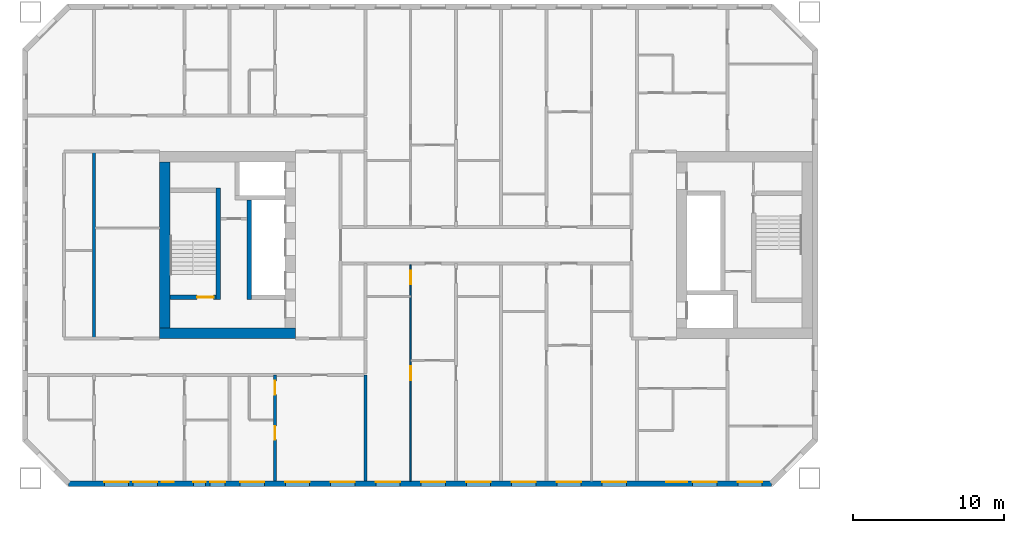
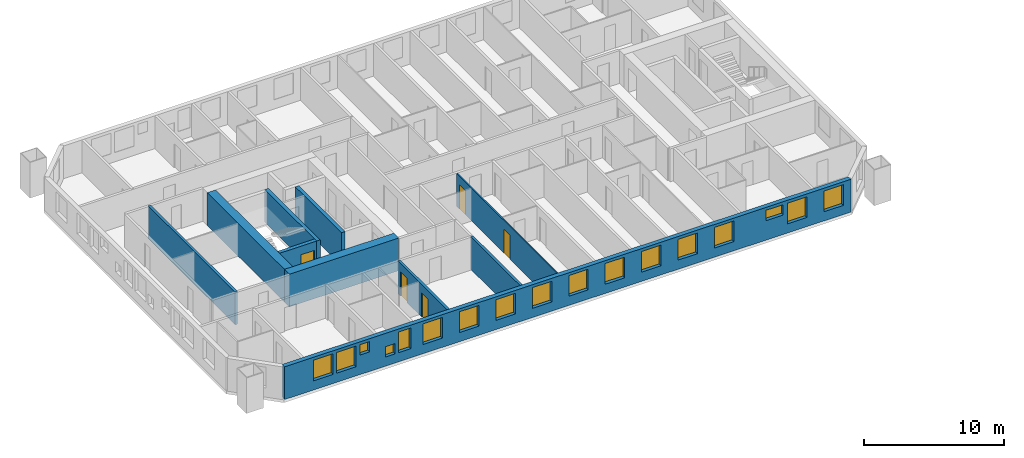
# One storey, part 3 of 17: 17 windows, 10 walls, 5 doors, 22 openings.
"""IFC4 building model written with IfcOpenShell, lengths in metres."""

from ifc_helpers import new_model, si_unit, direction, frame, frame_2d, origin, place, context, subcontext, project, spatial, rectangle, extrude, material, layer, layer_set, type_object, element, fill, save


model = new_model("IFC4")

# Units and contexts
model_context = context("Model", 3, precision=1e-05, world=origin(), true_north=direction((0.0, 1.0)))
body_context = subcontext(model_context, "Body", "Model", "MODEL_VIEW")
ifc_project = project(units=[si_unit("LENGTHUNIT", "METRE"), si_unit("AREAUNIT", "SQUARE_METRE"), si_unit("VOLUMEUNIT", "CUBIC_METRE"), si_unit("PLANEANGLEUNIT", "RADIAN"), si_unit("MASSUNIT", "GRAM", prefix="KILO")], contexts=[model_context])

# Site, building, storey
site_placement = place(None, origin())
site = spatial("IfcSite", under=ifc_project, at=site_placement, CompositionType="ELEMENT")
building_placement = place(site_placement, origin())
building = spatial("IfcBuilding", under=site, at=building_placement, Name="Tuart Gate Housing", CompositionType="ELEMENT")
storey_placement = place(building_placement, frame((0.0, 0.0, 74.699951171875)))
storey = spatial("IfcBuildingStorey", under=building, at=storey_placement, Name="L20", CompositionType="ELEMENT", Elevation=74.699951171875)

# Wall, openings, windows
ifc_material_1 = material(Name="Brick", Category="masonry")
ifc_layer_1 = layer(ifc_material_1, 0.360107421875)
ifc_layer_set_1 = layer_set([ifc_layer_1], Name="Brick pier and spandrel wall 360")
wall_type_1 = type_object("IfcWallType", Name="Brick pier and spandrel wall 360", PredefinedType="STANDARD", material=ifc_layer_set_1)
wall_1_placement = place(storey_placement, frame((26.32470703125, 54.179931640625, 0.0), z_axis=(0.0, 0.0, 1.0), x_axis=(1.0, 0.0, 0.0)))
wall_1 = element("IfcWall", 1, at=wall_1_placement, inside=storey, type_object=wall_type_1, Name="External wall A-S L20", PredefinedType="STANDARD", context=body_context, shape_type="SweptSolid", body=[
    extrude(rectangle(XDim=46.600830078125, YDim=0.360107421875, at=frame_2d((23.30029296875, 0.0))), origin(), (0.0, 0.0, 1.0), 2.85009765625),
])
opening_1_placement = place(wall_1_placement, frame((2.37548828125, 0.0, 0.800048828125)))
opening_1 = element("IfcOpeningElement", 2, at=opening_1_placement, cuts=wall_1, Name="Opening W1", PredefinedType="OPENING", context=body_context, shape_type="SweptSolid", body=[
    extrude(rectangle(XDim=1.60009765625, YDim=1.800048828125, at=frame_2d((0.800048828125, 0.89990234375))), frame((0.0, 0.18994140625, 0.0), z_axis=(0.0, -1.0, 0.0), x_axis=(1.0, 0.0, 0.0)), (0.0, 0.0, 1.0), 0.380126953125),
])
opening_2_placement = place(wall_1_placement, frame((4.275390625, 0.0, 0.800048828125)))
opening_2 = element("IfcOpeningElement", 3, at=opening_2_placement, cuts=wall_1, Name="Opening W1", PredefinedType="OPENING", context=body_context, shape_type="SweptSolid", body=[
    extrude(rectangle(XDim=1.60009765625, YDim=1.800048828125, at=frame_2d((0.800048828125, 0.89990234375))), frame((0.0, 0.18994140625, 0.0), z_axis=(0.0, -1.0, 0.0), x_axis=(1.0, 0.0, 0.0)), (0.0, 0.0, 1.0), 0.380126953125),
])
opening_3_placement = place(wall_1_placement, frame((8.275390625, 0.0, 0.800048828125)))
opening_3 = element("IfcOpeningElement", 4, at=opening_3_placement, cuts=wall_1, Name="Opening W1V", PredefinedType="OPENING", context=body_context, shape_type="SweptSolid", body=[
    extrude(rectangle(XDim=0.800048828125, YDim=0.89990234375, at=frame_2d((0.39990234375, 0.449951171875))), frame((0.0, 0.18994140625, 0.0), z_axis=(0.0, -1.0, 0.0), x_axis=(1.0, 0.0, 0.0)), (0.0, 0.0, 1.0), 0.380126953125),
])
opening_4_placement = place(wall_1_placement, frame((11.37548828125, 0.0, 0.800048828125)))
opening_4 = element("IfcOpeningElement", 5, at=opening_4_placement, cuts=wall_1, Name="Opening W1", PredefinedType="OPENING", context=body_context, shape_type="SweptSolid", body=[
    extrude(rectangle(XDim=1.60009765625, YDim=1.800048828125, at=frame_2d((0.800048828125, 0.89990234375))), frame((0.0, 0.18994140625, 0.0), z_axis=(0.0, -1.0, 0.0), x_axis=(1.0, 0.0, 0.0)), (0.0, 0.0, 1.0), 0.380126953125),
])
opening_5_placement = place(wall_1_placement, frame((14.37548828125, 0.0, 0.800048828125)))
opening_5 = element("IfcOpeningElement", 6, at=opening_5_placement, cuts=wall_1, Name="Opening W1", PredefinedType="OPENING", context=body_context, shape_type="SweptSolid", body=[
    extrude(rectangle(XDim=1.60009765625, YDim=1.800048828125, at=frame_2d((0.800048828125, 0.89990234375))), frame((0.0, 0.18994140625, 0.0), z_axis=(0.0, -1.0, 0.0), x_axis=(1.0, 0.0, 0.0)), (0.0, 0.0, 1.0), 0.380126953125),
])
opening_6_placement = place(wall_1_placement, frame((17.37548828125, 0.0, 0.800048828125)))
opening_6 = element("IfcOpeningElement", 7, at=opening_6_placement, cuts=wall_1, Name="Opening W1", PredefinedType="OPENING", context=body_context, shape_type="SweptSolid", body=[
    extrude(rectangle(XDim=1.60009765625, YDim=1.800048828125, at=frame_2d((0.800048828125, 0.89990234375))), frame((0.0, 0.18994140625, 0.0), z_axis=(0.0, -1.0, 0.0), x_axis=(1.0, 0.0, 0.0)), (0.0, 0.0, 1.0), 0.380126953125),
])
opening_7_placement = place(wall_1_placement, frame((20.37548828125, 0.0, 0.800048828125)))
opening_7 = element("IfcOpeningElement", 8, at=opening_7_placement, cuts=wall_1, Name="Opening W1", PredefinedType="OPENING", context=body_context, shape_type="SweptSolid", body=[
    extrude(rectangle(XDim=1.60009765625, YDim=1.800048828125, at=frame_2d((0.800048828125, 0.89990234375))), frame((0.0, 0.18994140625, 0.0), z_axis=(0.0, -1.0, 0.0), x_axis=(1.0, 0.0, 0.0)), (0.0, 0.0, 1.0), 0.380126953125),
])
opening_8_placement = place(wall_1_placement, frame((23.37548828125, 0.0, 0.800048828125)))
opening_8 = element("IfcOpeningElement", 9, at=opening_8_placement, cuts=wall_1, Name="Opening W1", PredefinedType="OPENING", context=body_context, shape_type="SweptSolid", body=[
    extrude(rectangle(XDim=1.60009765625, YDim=1.800048828125, at=frame_2d((0.800048828125, 0.89990234375))), frame((0.0, 0.18994140625, 0.0), z_axis=(0.0, -1.0, 0.0), x_axis=(1.0, 0.0, 0.0)), (0.0, 0.0, 1.0), 0.380126953125),
])
opening_9_placement = place(wall_1_placement, frame((26.37548828125, 0.0, 0.800048828125)))
opening_9 = element("IfcOpeningElement", 10, at=opening_9_placement, cuts=wall_1, Name="Opening W1", PredefinedType="OPENING", context=body_context, shape_type="SweptSolid", body=[
    extrude(rectangle(XDim=1.60009765625, YDim=1.800048828125, at=frame_2d((0.800048828125, 0.89990234375))), frame((0.0, 0.18994140625, 0.0), z_axis=(0.0, -1.0, 0.0), x_axis=(1.0, 0.0, 0.0)), (0.0, 0.0, 1.0), 0.380126953125),
])
opening_10_placement = place(wall_1_placement, frame((29.37548828125, 0.0, 0.800048828125)))
opening_10 = element("IfcOpeningElement", 11, at=opening_10_placement, cuts=wall_1, Name="Opening W1", PredefinedType="OPENING", context=body_context, shape_type="SweptSolid", body=[
    extrude(rectangle(XDim=1.60009765625, YDim=1.800048828125, at=frame_2d((0.800048828125, 0.89990234375))), frame((0.0, 0.18994140625, 0.0), z_axis=(0.0, -1.0, 0.0), x_axis=(1.0, 0.0, 0.0)), (0.0, 0.0, 1.0), 0.380126953125),
])
opening_11_placement = place(wall_1_placement, frame((32.37548828125, 0.0, 0.800048828125)))
opening_11 = element("IfcOpeningElement", 12, at=opening_11_placement, cuts=wall_1, Name="Opening W1", PredefinedType="OPENING", context=body_context, shape_type="SweptSolid", body=[
    extrude(rectangle(XDim=1.60009765625, YDim=1.800048828125, at=frame_2d((0.800048828125, 0.89990234375))), frame((0.0, 0.18994140625, 0.0), z_axis=(0.0, -1.0, 0.0), x_axis=(1.0, 0.0, 0.0)), (0.0, 0.0, 1.0), 0.380126953125),
])
opening_12_placement = place(wall_1_placement, frame((35.37548828125, 0.0, 0.800048828125)))
opening_12 = element("IfcOpeningElement", 13, at=opening_12_placement, cuts=wall_1, Name="Opening W1", PredefinedType="OPENING", context=body_context, shape_type="SweptSolid", body=[
    extrude(rectangle(XDim=1.60009765625, YDim=1.800048828125, at=frame_2d((0.800048828125, 0.89990234375))), frame((0.0, 0.18994140625, 0.0), z_axis=(0.0, -1.0, 0.0), x_axis=(1.0, 0.0, 0.0)), (0.0, 0.0, 1.0), 0.380126953125),
])
opening_13_placement = place(wall_1_placement, frame((39.62548828125, 0.0, 1.699951171875)))
opening_13 = element("IfcOpeningElement", 14, at=opening_13_placement, cuts=wall_1, Name="Opening W1S", PredefinedType="OPENING", context=body_context, shape_type="SweptSolid", body=[
    extrude(rectangle(XDim=1.39990234375, YDim=0.89990234375, at=frame_2d((0.699951171875, 0.449951171875))), frame((0.0, 0.18994140625, 0.0), z_axis=(0.0, -1.0, 0.0), x_axis=(1.0, 0.0, 0.0)), (0.0, 0.0, 1.0), 0.380126953125),
])
opening_14_placement = place(wall_1_placement, frame((41.37548828125, 0.0, 0.800048828125)))
opening_14 = element("IfcOpeningElement", 15, at=opening_14_placement, cuts=wall_1, Name="Opening W1", PredefinedType="OPENING", context=body_context, shape_type="SweptSolid", body=[
    extrude(rectangle(XDim=1.60009765625, YDim=1.800048828125, at=frame_2d((0.800048828125, 0.89990234375))), frame((0.0, 0.18994140625, 0.0), z_axis=(0.0, -1.0, 0.0), x_axis=(1.0, 0.0, 0.0)), (0.0, 0.0, 1.0), 0.380126953125),
])
opening_15_placement = place(wall_1_placement, frame((44.37548828125, 0.0, 0.800048828125)))
opening_15 = element("IfcOpeningElement", 16, at=opening_15_placement, cuts=wall_1, Name="Opening W1", PredefinedType="OPENING", context=body_context, shape_type="SweptSolid", body=[
    extrude(rectangle(XDim=1.60009765625, YDim=1.800048828125, at=frame_2d((0.800048828125, 0.89990234375))), frame((0.0, 0.18994140625, 0.0), z_axis=(0.0, -1.0, 0.0), x_axis=(1.0, 0.0, 0.0)), (0.0, 0.0, 1.0), 0.380126953125),
])
opening_16_placement = place(wall_1_placement, frame((6.17529296875, 0.0, 1.699951171875)))
opening_16 = element("IfcOpeningElement", 17, at=opening_16_placement, cuts=wall_1, Name="Opening W1V", PredefinedType="OPENING", context=body_context, shape_type="SweptSolid", body=[
    extrude(rectangle(XDim=0.800048828125, YDim=0.89990234375, at=frame_2d((0.39990234375, 0.449951171875))), frame((0.0, 0.18994140625, 0.0), z_axis=(0.0, -1.0, 0.0), x_axis=(1.0, 0.0, 0.0)), (0.0, 0.0, 1.0), 0.380126953125),
])
opening_17_placement = place(wall_1_placement, frame((9.37548828125, 0.0, 0.800048828125)))
opening_17 = element("IfcOpeningElement", 18, at=opening_17_placement, cuts=wall_1, Name="Opening W1C", PredefinedType="OPENING", context=body_context, shape_type="SweptSolid", body=[
    extrude(rectangle(XDim=1.0, YDim=1.800048828125, at=frame_2d((0.5, 0.89990234375))), frame((0.0, 0.18994140625, 0.0), z_axis=(0.0, -1.0, 0.0), x_axis=(1.0, 0.0, 0.0)), (0.0, 0.0, 1.0), 0.380126953125),
])
ifc_material_2 = material(Name="Aluminium frame with clear glass", Category="aluminium")
window_type_1 = type_object("IfcWindowType", Name="Punched window 1000 x 1800", PartitioningType="SINGLE_PANEL", PredefinedType="WINDOW", material=ifc_material_2)
window_1_placement = place(opening_17_placement, origin())
window_1 = element("IfcWindow", 19, at=window_1_placement, inside=storey, type_object=window_type_1, Name="Window W1C", OverallHeight=1.800048828125, OverallWidth=1.0, PartitioningType="SINGLE_PANEL", PredefinedType="WINDOW", context=body_context, shape_type="SweptSolid", body=[
    extrude(rectangle(XDim=1.0, YDim=1.800048828125, at=frame_2d((0.5, 0.89990234375))), frame((0.0, 0.150146484375, 0.0), z_axis=(0.0, -1.0, 0.0), x_axis=(1.0, 0.0, 0.0)), (0.0, 0.0, 1.0), 0.06005859375),
])
fill(opening_17, window_1)
ifc_material_3 = material(Name="Aluminium frame with clear glass", Category="aluminium")
window_type_2 = type_object("IfcWindowType", Name="Punched window 1400 x 900", PartitioningType="SINGLE_PANEL", PredefinedType="WINDOW", material=ifc_material_3)
window_2_placement = place(opening_13_placement, origin())
window_2 = element("IfcWindow", 20, at=window_2_placement, inside=storey, type_object=window_type_2, Name="Window W1S", OverallHeight=0.89990234375, OverallWidth=1.39990234375, PartitioningType="SINGLE_PANEL", PredefinedType="WINDOW", context=body_context, shape_type="SweptSolid", body=[
    extrude(rectangle(XDim=1.39990234375, YDim=0.89990234375, at=frame_2d((0.699951171875, 0.449951171875))), frame((0.0, 0.150146484375, 0.0), z_axis=(0.0, -1.0, 0.0), x_axis=(1.0, 0.0, 0.0)), (0.0, 0.0, 1.0), 0.06005859375),
])
fill(opening_13, window_2)
ifc_material_4 = material(Name="Aluminium frame with clear glass", Category="aluminium")
window_type_3 = type_object("IfcWindowType", Name="Punched window 1600 x 1800", PartitioningType="SINGLE_PANEL", PredefinedType="WINDOW", material=ifc_material_4)
window_3_placement = place(opening_1_placement, origin())
window_3 = element("IfcWindow", 21, at=window_3_placement, inside=storey, type_object=window_type_3, Name="Window W1", OverallHeight=1.800048828125, OverallWidth=1.60009765625, PartitioningType="SINGLE_PANEL", PredefinedType="WINDOW", context=body_context, shape_type="SweptSolid", body=[
    extrude(rectangle(XDim=1.60009765625, YDim=1.800048828125, at=frame_2d((0.800048828125, 0.89990234375))), frame((0.0, 0.150146484375, 0.0), z_axis=(0.0, -1.0, 0.0), x_axis=(1.0, 0.0, 0.0)), (0.0, 0.0, 1.0), 0.06005859375),
])
fill(opening_1, window_3)
window_4_placement = place(opening_2_placement, origin())
window_4 = element("IfcWindow", 22, at=window_4_placement, inside=storey, type_object=window_type_3, Name="Window W1", OverallHeight=1.800048828125, OverallWidth=1.60009765625, PartitioningType="SINGLE_PANEL", PredefinedType="WINDOW", context=body_context, shape_type="SweptSolid", body=[
    extrude(rectangle(XDim=1.60009765625, YDim=1.800048828125, at=frame_2d((0.800048828125, 0.89990234375))), frame((0.0, 0.150146484375, 0.0), z_axis=(0.0, -1.0, 0.0), x_axis=(1.0, 0.0, 0.0)), (0.0, 0.0, 1.0), 0.06005859375),
])
fill(opening_2, window_4)
window_5_placement = place(opening_4_placement, origin())
window_5 = element("IfcWindow", 23, at=window_5_placement, inside=storey, type_object=window_type_3, Name="Window W1", OverallHeight=1.800048828125, OverallWidth=1.60009765625, PartitioningType="SINGLE_PANEL", PredefinedType="WINDOW", context=body_context, shape_type="SweptSolid", body=[
    extrude(rectangle(XDim=1.60009765625, YDim=1.800048828125, at=frame_2d((0.800048828125, 0.89990234375))), frame((0.0, 0.150146484375, 0.0), z_axis=(0.0, -1.0, 0.0), x_axis=(1.0, 0.0, 0.0)), (0.0, 0.0, 1.0), 0.06005859375),
])
fill(opening_4, window_5)
window_6_placement = place(opening_5_placement, origin())
window_6 = element("IfcWindow", 24, at=window_6_placement, inside=storey, type_object=window_type_3, Name="Window W1", OverallHeight=1.800048828125, OverallWidth=1.60009765625, PartitioningType="SINGLE_PANEL", PredefinedType="WINDOW", context=body_context, shape_type="SweptSolid", body=[
    extrude(rectangle(XDim=1.60009765625, YDim=1.800048828125, at=frame_2d((0.800048828125, 0.89990234375))), frame((0.0, 0.150146484375, 0.0), z_axis=(0.0, -1.0, 0.0), x_axis=(1.0, 0.0, 0.0)), (0.0, 0.0, 1.0), 0.06005859375),
])
fill(opening_5, window_6)
window_7_placement = place(opening_6_placement, origin())
window_7 = element("IfcWindow", 25, at=window_7_placement, inside=storey, type_object=window_type_3, Name="Window W1", OverallHeight=1.800048828125, OverallWidth=1.60009765625, PartitioningType="SINGLE_PANEL", PredefinedType="WINDOW", context=body_context, shape_type="SweptSolid", body=[
    extrude(rectangle(XDim=1.60009765625, YDim=1.800048828125, at=frame_2d((0.800048828125, 0.89990234375))), frame((0.0, 0.150146484375, 0.0), z_axis=(0.0, -1.0, 0.0), x_axis=(1.0, 0.0, 0.0)), (0.0, 0.0, 1.0), 0.06005859375),
])
fill(opening_6, window_7)
window_8_placement = place(opening_7_placement, origin())
window_8 = element("IfcWindow", 26, at=window_8_placement, inside=storey, type_object=window_type_3, Name="Window W1", OverallHeight=1.800048828125, OverallWidth=1.60009765625, PartitioningType="SINGLE_PANEL", PredefinedType="WINDOW", context=body_context, shape_type="SweptSolid", body=[
    extrude(rectangle(XDim=1.60009765625, YDim=1.800048828125, at=frame_2d((0.800048828125, 0.89990234375))), frame((0.0, 0.150146484375, 0.0), z_axis=(0.0, -1.0, 0.0), x_axis=(1.0, 0.0, 0.0)), (0.0, 0.0, 1.0), 0.06005859375),
])
fill(opening_7, window_8)
window_9_placement = place(opening_8_placement, origin())
window_9 = element("IfcWindow", 27, at=window_9_placement, inside=storey, type_object=window_type_3, Name="Window W1", OverallHeight=1.800048828125, OverallWidth=1.60009765625, PartitioningType="SINGLE_PANEL", PredefinedType="WINDOW", context=body_context, shape_type="SweptSolid", body=[
    extrude(rectangle(XDim=1.60009765625, YDim=1.800048828125, at=frame_2d((0.800048828125, 0.89990234375))), frame((0.0, 0.150146484375, 0.0), z_axis=(0.0, -1.0, 0.0), x_axis=(1.0, 0.0, 0.0)), (0.0, 0.0, 1.0), 0.06005859375),
])
fill(opening_8, window_9)
window_10_placement = place(opening_9_placement, origin())
window_10 = element("IfcWindow", 28, at=window_10_placement, inside=storey, type_object=window_type_3, Name="Window W1", OverallHeight=1.800048828125, OverallWidth=1.60009765625, PartitioningType="SINGLE_PANEL", PredefinedType="WINDOW", context=body_context, shape_type="SweptSolid", body=[
    extrude(rectangle(XDim=1.60009765625, YDim=1.800048828125, at=frame_2d((0.800048828125, 0.89990234375))), frame((0.0, 0.150146484375, 0.0), z_axis=(0.0, -1.0, 0.0), x_axis=(1.0, 0.0, 0.0)), (0.0, 0.0, 1.0), 0.06005859375),
])
fill(opening_9, window_10)
window_11_placement = place(opening_10_placement, origin())
window_11 = element("IfcWindow", 29, at=window_11_placement, inside=storey, type_object=window_type_3, Name="Window W1", OverallHeight=1.800048828125, OverallWidth=1.60009765625, PartitioningType="SINGLE_PANEL", PredefinedType="WINDOW", context=body_context, shape_type="SweptSolid", body=[
    extrude(rectangle(XDim=1.60009765625, YDim=1.800048828125, at=frame_2d((0.800048828125, 0.89990234375))), frame((0.0, 0.150146484375, 0.0), z_axis=(0.0, -1.0, 0.0), x_axis=(1.0, 0.0, 0.0)), (0.0, 0.0, 1.0), 0.06005859375),
])
fill(opening_10, window_11)
window_12_placement = place(opening_11_placement, origin())
window_12 = element("IfcWindow", 30, at=window_12_placement, inside=storey, type_object=window_type_3, Name="Window W1", OverallHeight=1.800048828125, OverallWidth=1.60009765625, PartitioningType="SINGLE_PANEL", PredefinedType="WINDOW", context=body_context, shape_type="SweptSolid", body=[
    extrude(rectangle(XDim=1.60009765625, YDim=1.800048828125, at=frame_2d((0.800048828125, 0.89990234375))), frame((0.0, 0.150146484375, 0.0), z_axis=(0.0, -1.0, 0.0), x_axis=(1.0, 0.0, 0.0)), (0.0, 0.0, 1.0), 0.06005859375),
])
fill(opening_11, window_12)
window_13_placement = place(opening_12_placement, origin())
window_13 = element("IfcWindow", 31, at=window_13_placement, inside=storey, type_object=window_type_3, Name="Window W1", OverallHeight=1.800048828125, OverallWidth=1.60009765625, PartitioningType="SINGLE_PANEL", PredefinedType="WINDOW", context=body_context, shape_type="SweptSolid", body=[
    extrude(rectangle(XDim=1.60009765625, YDim=1.800048828125, at=frame_2d((0.800048828125, 0.89990234375))), frame((0.0, 0.150146484375, 0.0), z_axis=(0.0, -1.0, 0.0), x_axis=(1.0, 0.0, 0.0)), (0.0, 0.0, 1.0), 0.06005859375),
])
fill(opening_12, window_13)
window_14_placement = place(opening_14_placement, origin())
window_14 = element("IfcWindow", 32, at=window_14_placement, inside=storey, type_object=window_type_3, Name="Window W1", OverallHeight=1.800048828125, OverallWidth=1.60009765625, PartitioningType="SINGLE_PANEL", PredefinedType="WINDOW", context=body_context, shape_type="SweptSolid", body=[
    extrude(rectangle(XDim=1.60009765625, YDim=1.800048828125, at=frame_2d((0.800048828125, 0.89990234375))), frame((0.0, 0.150146484375, 0.0), z_axis=(0.0, -1.0, 0.0), x_axis=(1.0, 0.0, 0.0)), (0.0, 0.0, 1.0), 0.06005859375),
])
fill(opening_14, window_14)
window_15_placement = place(opening_15_placement, origin())
window_15 = element("IfcWindow", 33, at=window_15_placement, inside=storey, type_object=window_type_3, Name="Window W1", OverallHeight=1.800048828125, OverallWidth=1.60009765625, PartitioningType="SINGLE_PANEL", PredefinedType="WINDOW", context=body_context, shape_type="SweptSolid", body=[
    extrude(rectangle(XDim=1.60009765625, YDim=1.800048828125, at=frame_2d((0.800048828125, 0.89990234375))), frame((0.0, 0.150146484375, 0.0), z_axis=(0.0, -1.0, 0.0), x_axis=(1.0, 0.0, 0.0)), (0.0, 0.0, 1.0), 0.06005859375),
])
fill(opening_15, window_15)
ifc_material_5 = material(Name="Aluminium frame with clear glass", Category="aluminium")
window_type_4 = type_object("IfcWindowType", Name="Punched window 800 x 900", PartitioningType="SINGLE_PANEL", PredefinedType="WINDOW", material=ifc_material_5)
window_16_placement = place(opening_3_placement, origin())
window_16 = element("IfcWindow", 34, at=window_16_placement, inside=storey, type_object=window_type_4, Name="Window W1V", OverallHeight=0.89990234375, OverallWidth=0.800048828125, PartitioningType="SINGLE_PANEL", PredefinedType="WINDOW", context=body_context, shape_type="SweptSolid", body=[
    extrude(rectangle(XDim=0.800048828125, YDim=0.89990234375, at=frame_2d((0.39990234375, 0.449951171875))), frame((0.0, 0.150146484375, 0.0), z_axis=(0.0, -1.0, 0.0), x_axis=(1.0, 0.0, 0.0)), (0.0, 0.0, 1.0), 0.06005859375),
])
fill(opening_3, window_16)
window_17_placement = place(opening_16_placement, origin())
window_17 = element("IfcWindow", 35, at=window_17_placement, inside=storey, type_object=window_type_4, Name="Window W1V", OverallHeight=0.89990234375, OverallWidth=0.800048828125, PartitioningType="SINGLE_PANEL", PredefinedType="WINDOW", context=body_context, shape_type="SweptSolid", body=[
    extrude(rectangle(XDim=0.800048828125, YDim=0.89990234375, at=frame_2d((0.39990234375, 0.449951171875))), frame((0.0, 0.150146484375, 0.0), z_axis=(0.0, -1.0, 0.0), x_axis=(1.0, 0.0, 0.0)), (0.0, 0.0, 1.0), 0.06005859375),
])
fill(opening_16, window_17)

# Wall, opening, door
ifc_material_6 = material(Name="Concrete C50", Category="concrete")
ifc_layer_2 = layer(ifc_material_6, 0.300048828125)
ifc_layer_set_2 = layer_set([ifc_layer_2], Name="Core wall 300 C50")
wall_type_2 = type_object("IfcWallType", Name="Core wall 300 C50", PredefinedType="SHEAR", material=ifc_layer_set_2)
wall_2_placement = place(storey_placement, frame((36.110107421875, 66.550048828125, 0.0), z_axis=(0.0, 0.0, 1.0), x_axis=(-1.0, 0.0, 0.0)))
wall_2 = element("IfcWall", 36, at=wall_2_placement, inside=storey, type_object=wall_type_2, Name="Core wall AK.5", PredefinedType="SHEAR", context=body_context, shape_type="SweptSolid", body=[
    extrude(rectangle(XDim=3.050048828125, YDim=0.300048828125, at=frame_2d((1.52490234375, 0.0))), origin(), (0.0, 0.0, 1.0), 2.85009765625),
])
opening_18_placement = place(wall_2_placement, frame((0.169921875, 0.0, 0.0)))
opening_18 = element("IfcOpeningElement", 37, at=opening_18_placement, cuts=wall_2, Name="Opening D871", PredefinedType="OPENING", context=body_context, shape_type="SweptSolid", body=[
    extrude(rectangle(XDim=1.10009765625, YDim=2.10009765625, at=frame_2d((0.550048828125, 1.050048828125))), frame((0.0, 0.159912109375, 0.0), z_axis=(0.0, -1.0, 0.0), x_axis=(1.0, 0.0, 0.0)), (0.0, 0.0, 1.0), 0.320068359375),
])
ifc_material_7 = material(Name="Steel fire door", Category="steel")
door_type_1 = type_object("IfcDoorType", Name="Stair door 1100 x 2100 RH", OperationType="SINGLE_SWING_RIGHT", PredefinedType="DOOR", material=ifc_material_7)
door_1_placement = place(opening_18_placement, frame((1.10009765625, 0.0, 0.0), z_axis=(0.0, 0.0, 1.0), x_axis=(-1.0, 0.0, 0.0)))
door_1 = element("IfcDoor", 38, at=door_1_placement, inside=storey, type_object=door_type_1, Name="Stair door AK.SD", OperationType="SINGLE_SWING_RIGHT", OverallHeight=2.10009765625, OverallWidth=1.10009765625, PredefinedType="DOOR", context=body_context, shape_type="SweptSolid", body=[
    extrude(rectangle(XDim=1.10009765625, YDim=2.10009765625, at=frame_2d((0.550048828125, 1.050048828125))), frame((0.0, 0.025146484375, 0.0), z_axis=(0.0, -1.0, 0.0), x_axis=(1.0, 0.0, 0.0)), (0.0, 0.0, 1.0), 0.050048828125),
])
fill(opening_18, door_1)

# Walls
wall_3_placement = place(storey_placement, frame((38.31005859375, 73.0, 0.0), z_axis=(0.0, 0.0, 1.0), x_axis=(0.0, -1.0, 0.0)))
element("IfcWall", 39, at=wall_3_placement, inside=storey, type_object=wall_type_2, Name="Core wall AK.6", PredefinedType="SHEAR", context=body_context, shape_type="SweptSolid", body=[
    extrude(rectangle(XDim=6.60009765625, YDim=0.300048828125, at=frame_2d((3.300048828125, 0.0))), origin(), (0.0, 0.0, 1.0), 2.85009765625),
])
wall_4_placement = place(storey_placement, frame((36.260009765625, 73.800048828125, 0.0), z_axis=(0.0, 0.0, 1.0), x_axis=(0.0, -1.0, 0.0)))
element("IfcWall", 40, at=wall_4_placement, inside=storey, type_object=wall_type_2, Name="Core wall AK.8", PredefinedType="SHEAR", context=body_context, shape_type="SweptSolid", body=[
    extrude(rectangle(XDim=7.400146484375, YDim=0.300048828125, at=frame_2d((3.7001953125, 0.0))), origin(), (0.0, 0.0, 1.0), 2.85009765625),
])
ifc_material_8 = material(Name="Concrete C50", Category="concrete")
ifc_layer_3 = layer(ifc_material_8, 0.699951171875)
ifc_layer_set_3 = layer_set([ifc_layer_3], Name="Core wall 700 C50")
wall_type_3 = type_object("IfcWallType", Name="Core wall 700 C50", PredefinedType="SHEAR", material=ifc_layer_set_3)
wall_5_placement = place(storey_placement, frame((32.7099609375, 75.5, 0.0), z_axis=(0.0, 0.0, 1.0), x_axis=(0.0, -1.0, 0.0)))
element("IfcWall", 41, at=wall_5_placement, inside=storey, type_object=wall_type_3, Name="Core wall AK back", PredefinedType="SHEAR", context=body_context, shape_type="SweptSolid", body=[
    extrude(rectangle(XDim=11.0, YDim=0.699951171875, at=frame_2d((5.5, 0.0))), origin(), (0.0, 0.0, 1.0), 2.85009765625),
])
wall_6_placement = place(storey_placement, frame((41.360107421875, 64.14990234375, 0.0), z_axis=(0.0, 0.0, 1.0), x_axis=(-1.0, 0.0, 0.0)))
element("IfcWall", 42, at=wall_6_placement, inside=storey, type_object=wall_type_3, Name="Core wall AK north", PredefinedType="SHEAR", context=body_context, shape_type="SweptSolid", body=[
    extrude(rectangle(XDim=9.0, YDim=0.699951171875, at=frame_2d((4.5, 0.0))), origin(), (0.0, 0.0, 1.0), 2.85009765625),
])

# Wall, openings, doors
ifc_material_9 = material(Name="Gypsum board on steel studs", Category="steel")
ifc_layer_4 = layer(ifc_material_9, 0.10009765625)
ifc_layer_set_4 = layer_set([ifc_layer_4], Name="Partition 100")
wall_type_4 = type_object("IfcWallType", Name="Partition 100", PredefinedType="PARTITIONING", material=ifc_layer_set_4)
wall_7_placement = place(storey_placement, frame((49.0, 54.360107421875, 0.0), z_axis=(0.0, 0.0, 1.0), x_axis=(0.0, 1.0, 0.0)))
wall_7 = element("IfcWall", 43, at=wall_7_placement, inside=storey, type_object=wall_type_4, Name="Partition 100", PredefinedType="PARTITIONING", context=body_context, shape_type="SweptSolid", body=[
    extrude(rectangle(XDim=14.33984375, YDim=0.10009765625, at=frame_2d((7.169921875, 0.0))), origin(), (0.0, 0.0, 1.0), 2.85009765625),
])
opening_19_placement = place(wall_7_placement, frame((6.699951171875, 0.0, 0.0)))
opening_19 = element("IfcOpeningElement", 44, at=opening_19_placement, cuts=wall_7, Name="Opening D882", PredefinedType="OPENING", context=body_context, shape_type="SweptSolid", body=[
    extrude(rectangle(XDim=0.89990234375, YDim=2.10009765625, at=frame_2d((0.449951171875, 1.050048828125))), frame((0.0, 0.06005859375, 0.0), z_axis=(0.0, -1.0, 0.0), x_axis=(1.0, 0.0, 0.0)), (0.0, 0.0, 1.0), 0.1201171875),
])
opening_20_placement = place(wall_7_placement, frame((13.0400390625, 0.0, 0.0)))
opening_20 = element("IfcOpeningElement", 45, at=opening_20_placement, cuts=wall_7, Name="Opening D881", PredefinedType="OPENING", context=body_context, shape_type="SweptSolid", body=[
    extrude(rectangle(XDim=0.89990234375, YDim=2.10009765625, at=frame_2d((0.449951171875, 1.050048828125))), frame((0.0, 0.06005859375, 0.0), z_axis=(0.0, -1.0, 0.0), x_axis=(1.0, 0.0, 0.0)), (0.0, 0.0, 1.0), 0.1201171875),
])
ifc_material_10 = material(Name="Timber door leaf in steel frame", Category="steel")
door_type_2 = type_object("IfcDoorType", Name="Bathroom door 900 RH", OperationType="SINGLE_SWING_RIGHT", PredefinedType="DOOR", material=ifc_material_10)
door_2_placement = place(opening_20_placement, origin())
door_2 = element("IfcDoor", 46, at=door_2_placement, inside=storey, type_object=door_type_2, Name="Bathroom door", OperationType="SINGLE_SWING_RIGHT", OverallHeight=2.10009765625, OverallWidth=0.89990234375, PredefinedType="DOOR", context=body_context, shape_type="SweptSolid", body=[
    extrude(rectangle(XDim=0.89990234375, YDim=2.10009765625, at=frame_2d((0.449951171875, 1.050048828125))), frame((0.0, 0.02490234375, 0.0), z_axis=(0.0, -1.0, 0.0), x_axis=(1.0, 0.0, 0.0)), (0.0, 0.0, 1.0), 0.050048828125),
])
fill(opening_20, door_2)
ifc_material_11 = material(Name="Timber door leaf in steel frame", Category="steel")
door_type_3 = type_object("IfcDoorType", Name="Internal door 900 RH", OperationType="SINGLE_SWING_RIGHT", PredefinedType="DOOR", material=ifc_material_11)
door_3_placement = place(opening_19_placement, origin())
door_3 = element("IfcDoor", 47, at=door_3_placement, inside=storey, type_object=door_type_3, Name="Internal door", OperationType="SINGLE_SWING_RIGHT", OverallHeight=2.10009765625, OverallWidth=0.89990234375, PredefinedType="DOOR", context=body_context, shape_type="SweptSolid", body=[
    extrude(rectangle(XDim=0.89990234375, YDim=2.10009765625, at=frame_2d((0.449951171875, 1.050048828125))), frame((0.0, 0.02490234375, 0.0), z_axis=(0.0, -1.0, 0.0), x_axis=(1.0, 0.0, 0.0)), (0.0, 0.0, 1.0), 0.050048828125),
])
fill(opening_19, door_3)

# Wall
ifc_material_12 = material(Name="Concrete C40", Category="concrete")
ifc_layer_5 = layer(ifc_material_12, 0.199951171875)
ifc_layer_set_5 = layer_set([ifc_layer_5], Name="Party wall concrete C40 200")
wall_type_5 = type_object("IfcWallType", Name="Party wall concrete C40 200", PredefinedType="SOLIDWALL", material=ifc_layer_set_5)
wall_8_placement = place(storey_placement, frame((28.0, 63.800048828125, 0.0), z_axis=(0.0, 0.0, 1.0), x_axis=(0.0, 1.0, 0.0)))
element("IfcWall", 48, at=wall_8_placement, inside=storey, type_object=wall_type_5, Name="Party wall concrete C40 200", PredefinedType="SOLIDWALL", context=body_context, shape_type="SweptSolid", body=[
    extrude(rectangle(XDim=12.39990234375, YDim=0.199951171875, at=frame_2d((6.199951171875, 0.0))), origin(), (0.0, 0.0, 1.0), 2.85009765625),
])

# Wall, openings, doors
wall_9_placement = place(storey_placement, frame((40.0, 54.360107421875, 0.0), z_axis=(0.0, 0.0, 1.0), x_axis=(0.0, 1.0, 0.0)))
wall_9 = element("IfcWall", 49, at=wall_9_placement, inside=storey, type_object=wall_type_5, Name="Party wall concrete C40 200", PredefinedType="SOLIDWALL", context=body_context, shape_type="SweptSolid", body=[
    extrude(rectangle(XDim=7.039794921875, YDim=0.199951171875, at=frame_2d((3.52001953125, 0.0))), origin(), (0.0, 0.0, 1.0), 2.85009765625),
])
opening_21_placement = place(wall_9_placement, frame((2.739990234375, 0.0, 0.0)))
opening_21 = element("IfcOpeningElement", 50, at=opening_21_placement, cuts=wall_9, Name="Opening D896", PredefinedType="OPENING", context=body_context, shape_type="SweptSolid", body=[
    extrude(rectangle(XDim=0.89990234375, YDim=2.10009765625, at=frame_2d((0.449951171875, 1.050048828125))), frame((0.0, 0.10986328125, 0.0), z_axis=(0.0, -1.0, 0.0), x_axis=(1.0, 0.0, 0.0)), (0.0, 0.0, 1.0), 0.219970703125),
])
opening_22_placement = place(wall_9_placement, frame((5.739990234375, 0.0, 0.0)))
opening_22 = element("IfcOpeningElement", 51, at=opening_22_placement, cuts=wall_9, Name="Opening D895", PredefinedType="OPENING", context=body_context, shape_type="SweptSolid", body=[
    extrude(rectangle(XDim=0.89990234375, YDim=2.10009765625, at=frame_2d((0.449951171875, 1.050048828125))), frame((0.0, 0.10986328125, 0.0), z_axis=(0.0, -1.0, 0.0), x_axis=(1.0, 0.0, 0.0)), (0.0, 0.0, 1.0), 0.219970703125),
])
door_4_placement = place(opening_22_placement, origin())
door_4 = element("IfcDoor", 52, at=door_4_placement, inside=storey, type_object=door_type_2, Name="Bathroom door", OperationType="SINGLE_SWING_RIGHT", OverallHeight=2.10009765625, OverallWidth=0.89990234375, PredefinedType="DOOR", context=body_context, shape_type="SweptSolid", body=[
    extrude(rectangle(XDim=0.89990234375, YDim=2.10009765625, at=frame_2d((0.449951171875, 1.050048828125))), frame((0.0, 0.02490234375, 0.0), z_axis=(0.0, -1.0, 0.0), x_axis=(1.0, 0.0, 0.0)), (0.0, 0.0, 1.0), 0.050048828125),
])
fill(opening_22, door_4)
door_5_placement = place(opening_21_placement, origin())
door_5 = element("IfcDoor", 53, at=door_5_placement, inside=storey, type_object=door_type_3, Name="Internal door", OperationType="SINGLE_SWING_RIGHT", OverallHeight=2.10009765625, OverallWidth=0.89990234375, PredefinedType="DOOR", context=body_context, shape_type="SweptSolid", body=[
    extrude(rectangle(XDim=0.89990234375, YDim=2.10009765625, at=frame_2d((0.449951171875, 1.050048828125))), frame((0.0, 0.02490234375, 0.0), z_axis=(0.0, -1.0, 0.0), x_axis=(1.0, 0.0, 0.0)), (0.0, 0.0, 1.0), 0.050048828125),
])
fill(opening_21, door_5)

# Wall
wall_10_placement = place(storey_placement, frame((46.0, 54.360107421875, 0.0), z_axis=(0.0, 0.0, 1.0), x_axis=(0.0, 1.0, 0.0)))
element("IfcWall", 54, at=wall_10_placement, inside=storey, type_object=wall_type_5, Name="Party wall concrete C40 200", PredefinedType="SOLIDWALL", context=body_context, shape_type="SweptSolid", body=[
    extrude(rectangle(XDim=7.039794921875, YDim=0.199951171875, at=frame_2d((3.52001953125, 0.0))), origin(), (0.0, 0.0, 1.0), 2.85009765625),
])

save(model, "model.ifc")
